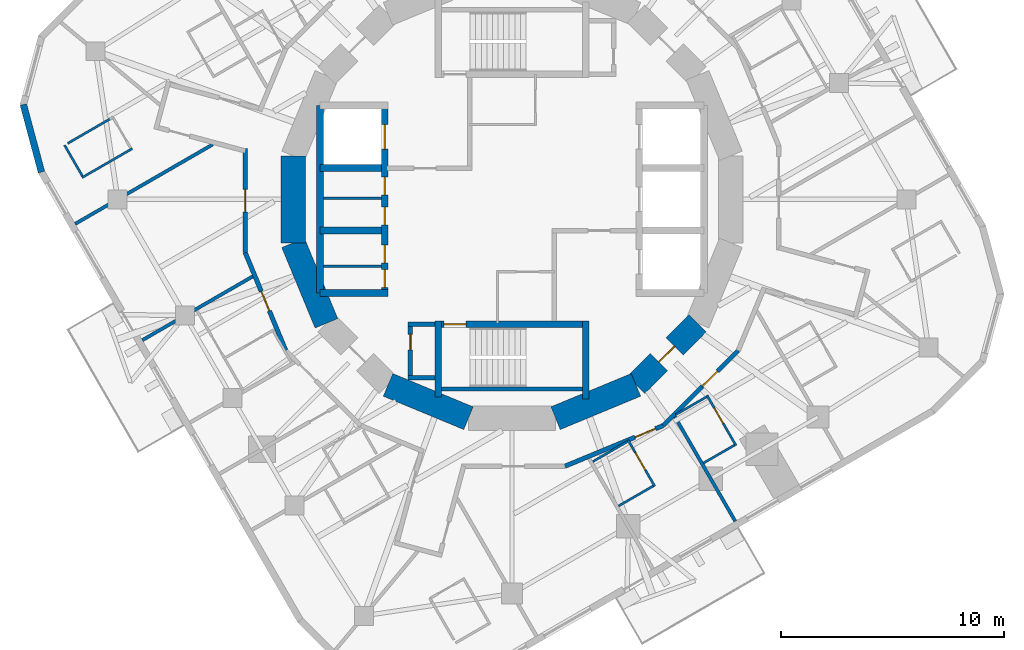
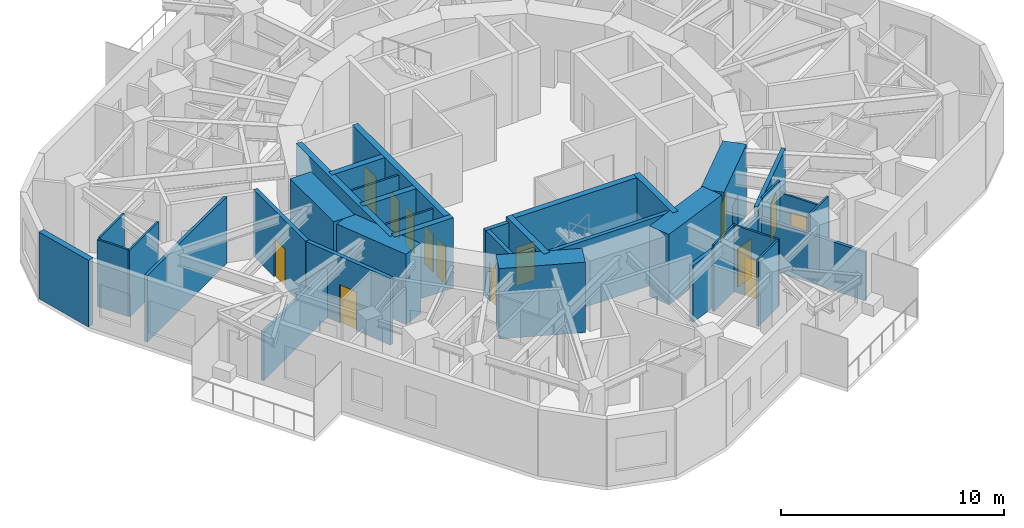
# One storey, part 5 of 11: 36 walls, 14 doors, 14 openings.
"""IFC4 building model written with IfcOpenShell, lengths in metres."""

from ifc_helpers import new_model, si_unit, direction, frame, frame_2d, origin, place, context, subcontext, project, spatial, rectangle, extrude, material, layer, layer_set, type_object, element, fill, save


model = new_model("IFC4")

# Units and contexts
model_context = context("Model", 3, precision=1e-05, world=origin(), true_north=direction((0.0, 1.0)))
body_context = subcontext(model_context, "Body", "Model", "MODEL_VIEW")
ifc_project = project(units=[si_unit("LENGTHUNIT", "METRE"), si_unit("AREAUNIT", "SQUARE_METRE"), si_unit("VOLUMEUNIT", "CUBIC_METRE"), si_unit("PLANEANGLEUNIT", "RADIAN"), si_unit("MASSUNIT", "GRAM", prefix="KILO")], contexts=[model_context])

# Site, building, storey
site_placement = place(None, origin())
site = spatial("IfcSite", under=ifc_project, at=site_placement, CompositionType="ELEMENT")
building_placement = place(site_placement, origin())
building = spatial("IfcBuilding", under=site, at=building_placement, Name="Nakasero Lantern House", CompositionType="ELEMENT")
storey_placement = place(building_placement, frame((0.0, 0.0, 238.5)))
storey = spatial("IfcBuildingStorey", under=building, at=storey_placement, Name="L58", CompositionType="ELEMENT", Elevation=238.5)

# Wall, openings, doors
ifc_material_1 = material(Name="Concrete C50/60", Category="concrete")
ifc_layer_1 = layer(ifc_material_1, 0.300048828125)
ifc_layer_set_1 = layer_set([ifc_layer_1], Name="Core inner wall 300")
wall_type_1 = type_object("IfcWallType", Name="Core inner wall 300", PredefinedType="SHEAR", material=ifc_layer_set_1)
wall_1_placement = place(storey_placement, frame((-5.699951171875, -4.199951171875, 0.0), z_axis=(0.0, 0.0, 1.0), x_axis=(0.0, 1.0, 0.0)))
wall_1 = element("IfcWall", 1, at=wall_1_placement, inside=storey, type_object=wall_type_1, Name="Core inner wall L58 LW", PredefinedType="SHEAR", context=body_context, shape_type="SweptSolid", body=[
    extrude(rectangle(XDim=8.39990234375, YDim=0.300048828125, at=frame_2d((4.199951171875, 0.0))), origin(), (0.0, 0.0, 1.0), 3.85009765625),
])
opening_1_placement = place(wall_1_placement, frame((0.25, 0.0, 0.0)))
opening_1 = element("IfcOpeningElement", 2, at=opening_1_placement, cuts=wall_1, Name="Opening D15", PredefinedType="OPENING", context=body_context, shape_type="SweptSolid", body=[
    extrude(rectangle(XDim=0.800048828125, YDim=2.10009765625, at=frame_2d((0.39990234375, 1.050048828125))), frame((0.0, 0.169921875, 0.0), z_axis=(0.0, -1.0, 0.0), x_axis=(1.0, 0.0, 0.0)), (0.0, 0.0, 1.0), 0.340087890625),
])
opening_2_placement = place(wall_1_placement, frame((1.35009765625, 0.0, 0.0)))
opening_2 = element("IfcOpeningElement", 3, at=opening_2_placement, cuts=wall_1, Name="Opening D15", PredefinedType="OPENING", context=body_context, shape_type="SweptSolid", body=[
    extrude(rectangle(XDim=0.800048828125, YDim=2.10009765625, at=frame_2d((0.39990234375, 1.050048828125))), frame((0.0, 0.169921875, 0.0), z_axis=(0.0, -1.0, 0.0), x_axis=(1.0, 0.0, 0.0)), (0.0, 0.0, 1.0), 0.340087890625),
])
opening_3_placement = place(wall_1_placement, frame((3.050048828125, 0.0, 0.0)))
opening_3 = element("IfcOpeningElement", 4, at=opening_3_placement, cuts=wall_1, Name="Opening D15", PredefinedType="OPENING", context=body_context, shape_type="SweptSolid", body=[
    extrude(rectangle(XDim=0.800048828125, YDim=2.10009765625, at=frame_2d((0.39990234375, 1.050048828125))), frame((0.0, 0.169921875, 0.0), z_axis=(0.0, -1.0, 0.0), x_axis=(1.0, 0.0, 0.0)), (0.0, 0.0, 1.0), 0.340087890625),
])
opening_4_placement = place(wall_1_placement, frame((4.39990234375, 0.0, 0.0)))
opening_4 = element("IfcOpeningElement", 5, at=opening_4_placement, cuts=wall_1, Name="Opening D15", PredefinedType="OPENING", context=body_context, shape_type="SweptSolid", body=[
    extrude(rectangle(XDim=0.800048828125, YDim=2.10009765625, at=frame_2d((0.39990234375, 1.050048828125))), frame((0.0, 0.169921875, 0.0), z_axis=(0.0, -1.0, 0.0), x_axis=(1.0, 0.0, 0.0)), (0.0, 0.0, 1.0), 0.340087890625),
])
opening_5_placement = place(wall_1_placement, frame((6.449951171875, 0.0, 0.0)))
opening_5 = element("IfcOpeningElement", 6, at=opening_5_placement, cuts=wall_1, Name="Opening LD", PredefinedType="OPENING", context=body_context, shape_type="SweptSolid", body=[
    extrude(rectangle(XDim=1.10009765625, YDim=2.10009765625, at=frame_2d((0.550048828125, 1.050048828125))), frame((0.0, 0.169921875, 0.0), z_axis=(0.0, -1.0, 0.0), x_axis=(1.0, 0.0, 0.0)), (0.0, 0.0, 1.0), 0.340087890625),
])
ifc_material_2 = material(Name="Timber C24", Category="wood")
door_type_1 = type_object("IfcDoorType", Name="Cleaner's store door FD30S 800", OperationType="SINGLE_SWING_LEFT", PredefinedType="DOOR", material=ifc_material_2)
door_1_placement = place(opening_1_placement, origin())
door_1 = element("IfcDoor", 7, at=door_1_placement, inside=storey, type_object=door_type_1, Name="Door L58 D-SH-LW1a", OperationType="SINGLE_SWING_LEFT", OverallHeight=2.10009765625, OverallWidth=0.800048828125, PredefinedType="DOOR", context=body_context, shape_type="SweptSolid", body=[
    extrude(rectangle(XDim=0.800048828125, YDim=2.10009765625, at=frame_2d((0.39990234375, 1.050048828125))), frame((0.0, 0.02490234375, 0.0), z_axis=(0.0, -1.0, 0.0), x_axis=(1.0, 0.0, 0.0)), (0.0, 0.0, 1.0), 0.050048828125),
])
fill(opening_1, door_1)
door_2_placement = place(opening_2_placement, origin())
door_2 = element("IfcDoor", 8, at=door_2_placement, inside=storey, type_object=door_type_1, Name="Door L58 D-SH-LW1b", OperationType="SINGLE_SWING_LEFT", OverallHeight=2.10009765625, OverallWidth=0.800048828125, PredefinedType="DOOR", context=body_context, shape_type="SweptSolid", body=[
    extrude(rectangle(XDim=0.800048828125, YDim=2.10009765625, at=frame_2d((0.39990234375, 1.050048828125))), frame((0.0, 0.02490234375, 0.0), z_axis=(0.0, -1.0, 0.0), x_axis=(1.0, 0.0, 0.0)), (0.0, 0.0, 1.0), 0.050048828125),
])
fill(opening_2, door_2)
door_3_placement = place(opening_3_placement, origin())
door_3 = element("IfcDoor", 9, at=door_3_placement, inside=storey, type_object=door_type_1, Name="Door L58 D-SH-LW2a", OperationType="SINGLE_SWING_LEFT", OverallHeight=2.10009765625, OverallWidth=0.800048828125, PredefinedType="DOOR", context=body_context, shape_type="SweptSolid", body=[
    extrude(rectangle(XDim=0.800048828125, YDim=2.10009765625, at=frame_2d((0.39990234375, 1.050048828125))), frame((0.0, 0.02490234375, 0.0), z_axis=(0.0, -1.0, 0.0), x_axis=(1.0, 0.0, 0.0)), (0.0, 0.0, 1.0), 0.050048828125),
])
fill(opening_3, door_3)
door_4_placement = place(opening_4_placement, origin())
door_4 = element("IfcDoor", 10, at=door_4_placement, inside=storey, type_object=door_type_1, Name="Door L58 D-SH-LW2b", OperationType="SINGLE_SWING_RIGHT", OverallHeight=2.10009765625, OverallWidth=0.800048828125, PredefinedType="DOOR", context=body_context, shape_type="SweptSolid", body=[
    extrude(rectangle(XDim=0.800048828125, YDim=2.10009765625, at=frame_2d((0.39990234375, 1.050048828125))), frame((0.0, 0.02490234375, 0.0), z_axis=(0.0, -1.0, 0.0), x_axis=(1.0, 0.0, 0.0)), (0.0, 0.0, 1.0), 0.050048828125),
])
fill(opening_4, door_4)
ifc_material_3 = material(Name="Steel S355", Category="steel")
door_type_2 = type_object("IfcDoorType", Name="Lift landing door E120 1100", OperationType="SLIDING_TO_LEFT", PredefinedType="DOOR", material=ifc_material_3)
door_5_placement = place(opening_5_placement, origin())
door_5 = element("IfcDoor", 11, at=door_5_placement, inside=storey, type_object=door_type_2, Name="Lift landing door LW3", OperationType="SLIDING_TO_LEFT", OverallHeight=2.10009765625, OverallWidth=1.10009765625, PredefinedType="DOOR", context=body_context, shape_type="SweptSolid", body=[
    extrude(rectangle(XDim=1.10009765625, YDim=2.10009765625, at=frame_2d((0.550048828125, 1.050048828125))), frame((0.0, 0.02490234375, 0.0), z_axis=(0.0, -1.0, 0.0), x_axis=(1.0, 0.0, 0.0)), (0.0, 0.0, 1.0), 0.050048828125),
])
fill(opening_5, door_5)

# Walls
wall_2_placement = place(storey_placement, frame((-8.60009765625, -4.199951171875, 0.0), z_axis=(0.0, 0.0, 1.0), x_axis=(1.0, 0.0, 0.0)))
element("IfcWall", 12, at=wall_2_placement, inside=storey, type_object=wall_type_1, Name="Core inner wall L58 LWS", PredefinedType="SHEAR", context=body_context, shape_type="SweptSolid", body=[
    extrude(rectangle(XDim=3.050048828125, YDim=0.300048828125, at=frame_2d((1.52490234375, 0.0))), origin(), (0.0, 0.0, 1.0), 3.85009765625),
])
wall_3_placement = place(storey_placement, frame((-8.60009765625, -4.199951171875, 0.0), z_axis=(0.0, 0.0, 1.0), x_axis=(0.0, 1.0, 0.0)))
element("IfcWall", 13, at=wall_3_placement, inside=storey, type_object=wall_type_1, Name="Core inner wall L58 LWB", PredefinedType="SHEAR", context=body_context, shape_type="SweptSolid", body=[
    extrude(rectangle(XDim=8.39990234375, YDim=0.300048828125, at=frame_2d((4.199951171875, 0.0))), origin(), (0.0, 0.0, 1.0), 3.85009765625),
])
for number, where, z_axis, x_axis, name in (
    (14, (-8.60009765625, -1.39990234375, 0.0), (0.0, 0.0, 1.0), (1.0, 0.0, 0.0), "Core inner wall L58 LW1"),
    (15, (-8.60009765625, 1.39990234375, 0.0), (0.0, 0.0, 1.0), (1.0, 0.0, 0.0), "Core inner wall L58 LW2"),
):
    element("IfcWall", number, at=place(storey_placement, frame(where, z_axis=z_axis, x_axis=x_axis)), inside=storey, type_object=wall_type_1, Name=name, PredefinedType="SHEAR", context=body_context, shape_type="SweptSolid", body=[
        extrude(rectangle(XDim=2.75, YDim=0.300048828125, at=frame_2d((1.375, 0.0))), origin(), (0.0, 0.0, 1.0), 3.85009765625),
    ])

# Wall, opening, door
wall_4_placement = place(storey_placement, frame((-3.449951171875, -5.60009765625, 0.0), z_axis=(0.0, 0.0, 1.0), x_axis=(1.0, 0.0, 0.0)))
wall_4 = element("IfcWall", 16, at=wall_4_placement, inside=storey, type_object=wall_type_1, Name="Core inner wall L58 SS", PredefinedType="SHEAR", context=body_context, shape_type="SweptSolid", body=[
    extrude(rectangle(XDim=6.89990234375, YDim=0.300048828125, at=frame_2d((3.449951171875, 0.0))), origin(), (0.0, 0.0, 1.0), 3.85009765625),
])
opening_6_placement = place(wall_4_placement, frame((0.39990234375, 0.0, 0.0)))
opening_6 = element("IfcOpeningElement", 17, at=opening_6_placement, cuts=wall_4, Name="Opening D05", PredefinedType="OPENING", context=body_context, shape_type="SweptSolid", body=[
    extrude(rectangle(XDim=1.0, YDim=2.10009765625, at=frame_2d((0.5, 1.050048828125))), frame((0.0, 0.169921875, 0.0), z_axis=(0.0, -1.0, 0.0), x_axis=(1.0, 0.0, 0.0)), (0.0, 0.0, 1.0), 0.340087890625),
])
ifc_material_4 = material(Name="Timber C24", Category="wood")
door_type_3 = type_object("IfcDoorType", Name="Core door FD60S 1000", OperationType="SINGLE_SWING_LEFT", PredefinedType="DOOR", material=ifc_material_4)
door_6_placement = place(opening_6_placement, origin())
door_6 = element("IfcDoor", 18, at=door_6_placement, inside=storey, type_object=door_type_3, Name="Door L58 D-ST2", OperationType="SINGLE_SWING_LEFT", OverallHeight=2.10009765625, OverallWidth=1.0, PredefinedType="DOOR", context=body_context, shape_type="SweptSolid", body=[
    extrude(rectangle(XDim=1.0, YDim=2.10009765625, at=frame_2d((0.5, 1.050048828125))), frame((0.0, 0.02490234375, 0.0), z_axis=(0.0, -1.0, 0.0), x_axis=(1.0, 0.0, 0.0)), (0.0, 0.0, 1.0), 0.050048828125),
])
fill(opening_6, door_6)

# Walls
wall_5_placement = place(storey_placement, frame((-3.300048828125, -5.449951171875, 0.0), z_axis=(0.0, 0.0, 1.0), x_axis=(0.0, -1.0, 0.0)))
element("IfcWall", 19, at=wall_5_placement, inside=storey, type_object=wall_type_1, Name="Core inner wall L58 SSW", PredefinedType="SHEAR", context=body_context, shape_type="SweptSolid", body=[
    extrude(rectangle(XDim=3.400146484375, YDim=0.300048828125, at=frame_2d((1.7001953125, 0.0))), origin(), (0.0, 0.0, 1.0), 3.85009765625),
])
wall_6_placement = place(storey_placement, frame((3.300048828125, -5.449951171875, 0.0), z_axis=(0.0, 0.0, 1.0), x_axis=(0.0, -1.0, 0.0)))
element("IfcWall", 20, at=wall_6_placement, inside=storey, type_object=wall_type_1, Name="Core inner wall L58 SSE", PredefinedType="SHEAR", context=body_context, shape_type="SweptSolid", body=[
    extrude(rectangle(XDim=3.5, YDim=0.300048828125, at=frame_2d((1.75, 0.0))), origin(), (0.0, 0.0, 1.0), 3.85009765625),
])
ifc_material_5 = material(Name="Blockwork", Category="masonry")
ifc_layer_2 = layer(ifc_material_5, 0.10009765625)
ifc_layer_set_2 = layer_set([ifc_layer_2], Name="Core room wall 100")
wall_type_2 = type_object("IfcWallType", Name="Core room wall 100", PredefinedType="PARTITIONING", material=ifc_layer_set_2)
for number, where, z_axis, x_axis, name in (
    (21, (-8.449951171875, -3.0, 0.0), (0.0, 0.0, 1.0), (1.0, 0.0, 0.0), "Core room wall L58 CR-SH-LW1b"),
    (22, (-8.449951171875, 0.050048828125, 0.0), (0.0, 0.0, 1.0), (1.0, 0.0, 0.0), "Core room wall L58 CR-SH-LW2b"),
):
    element("IfcWall", number, at=place(storey_placement, frame(where, z_axis=z_axis, x_axis=x_axis)), inside=storey, type_object=wall_type_2, Name=name, PredefinedType="PARTITIONING", context=body_context, shape_type="SweptSolid", body=[
        extrude(rectangle(XDim=2.599853515625, YDim=0.10009765625, at=frame_2d((1.2998046875, 0.0))), origin(), (0.0, 0.0, 1.0), 3.64990234375),
    ])
ifc_material_6 = material(Name="Concrete C50/60", Category="concrete")
ifc_layer_3 = layer(ifc_material_6, 1.10009765625)
ifc_layer_set_3 = layer_set([ifc_layer_3], Name="Core wall 1100")
wall_type_3 = type_object("IfcWallType", Name="Core wall 1100", PredefinedType="SHEAR", material=ifc_layer_set_3)
for number, where, z_axis, x_axis, name in (
    (23, (-9.807861328125, 1.950927734375, 0.0), (0.0, 0.0, 1.0), (0.0, -1.0, 0.0), "Core wall L58 facet 8"),
    (24, (-9.807861328125, -1.950927734375, 0.0), (0.0, 0.0, 1.0), (0.382690736062, -0.923876507187, 0.0), "Core wall L58 facet 9"),
    (25, (-5.5556640625, -8.314697265625, 0.0), (0.0, 0.0, 1.0), (0.923876507187, -0.382690736062, 0.0), "Core wall L58 facet 11"),
    (26, (1.950927734375, -9.807861328125, 0.0), (0.0, 0.0, 1.0), (0.923876507187, 0.382690736062, 0.0), "Core wall L58 facet 13"),
):
    element("IfcWall", number, at=place(storey_placement, frame(where, z_axis=z_axis, x_axis=x_axis)), inside=storey, type_object=wall_type_3, Name=name, PredefinedType="SHEAR", context=body_context, shape_type="SweptSolid", body=[
        extrude(rectangle(XDim=3.90185546875, YDim=1.10009765625, at=frame_2d((1.950927734375, 0.0))), origin(), (0.0, 0.0, 1.0), 3.85009765625),
    ])

# Wall, opening, door
wall_7_placement = place(storey_placement, frame((5.5556640625, -8.314697265625, 0.0), z_axis=(0.0, 0.0, 1.0), x_axis=(0.707106781187, 0.707106781187, 0.0)))
wall_7 = element("IfcWall", 27, at=wall_7_placement, inside=storey, type_object=wall_type_3, Name="Core wall L58 facet 14", PredefinedType="SHEAR", context=body_context, shape_type="SweptSolid", body=[
    extrude(rectangle(XDim=3.90185546875, YDim=1.10009765625, at=frame_2d((1.950927734375, 0.0))), origin(), (0.0, 0.0, 1.0), 3.85009765625),
])
opening_7_placement = place(wall_7_placement, frame((1.450927734375, 0.0, 0.0)))
opening_7 = element("IfcOpeningElement", 28, at=opening_7_placement, cuts=wall_7, Name="Opening D05", PredefinedType="OPENING", context=body_context, shape_type="SweptSolid", body=[
    extrude(rectangle(XDim=1.0, YDim=2.10009765625, at=frame_2d((0.5, 1.050048828125))), frame((0.0, 0.570068359375, 0.0), z_axis=(0.0, -1.0, 0.0), x_axis=(1.0, 0.0, 0.0)), (0.0, 0.0, 1.0), 1.14013671875),
])
door_7_placement = place(opening_7_placement, origin())
door_7 = element("IfcDoor", 29, at=door_7_placement, inside=storey, type_object=door_type_3, Name="Door L58 D-CORE14", OperationType="SINGLE_SWING_LEFT", OverallHeight=2.10009765625, OverallWidth=1.0, PredefinedType="DOOR", context=body_context, shape_type="SweptSolid", body=[
    extrude(rectangle(XDim=1.0, YDim=2.10009765625, at=frame_2d((0.5, 1.050048828125))), frame((0.0, 0.02490234375, 0.0), z_axis=(0.0, -1.0, 0.0), x_axis=(1.0, 0.0, 0.0)), (0.0, 0.0, 1.0), 0.050048828125),
])
fill(opening_7, door_7)

ifc_material_7 = material(Name="Blockwork", Category="masonry")
ifc_layer_4 = layer(ifc_material_7, 0.199951171875)
ifc_layer_set_4 = layer_set([ifc_layer_4], Name="Corridor wall 200")
wall_type_4 = type_object("IfcWallType", Name="Corridor wall 200", PredefinedType="PARTITIONING", material=ifc_layer_set_4)
wall_8_placement = place(storey_placement, frame((10.137451171875, -6.773681640625, 0.0), z_axis=(0.0, 0.0, 1.0), x_axis=(-0.707106781187, -0.707106781187, 0.0)))
wall_8 = element("IfcWall", 30, at=wall_8_placement, inside=storey, type_object=wall_type_4, Name="Corridor wall L58 RC02a", PredefinedType="PARTITIONING", context=body_context, shape_type="SweptSolid", body=[
    extrude(rectangle(XDim=4.757080078125, YDim=0.199951171875, at=frame_2d((2.37841796875, 0.0))), origin(), (0.0, 0.0, 1.0), 3.64990234375),
])
opening_8_placement = place(wall_8_placement, frame((1.320068359375, 0.0, 0.0)))
opening_8 = element("IfcOpeningElement", 31, at=opening_8_placement, cuts=wall_8, Name="Opening D01", PredefinedType="OPENING", context=body_context, shape_type="SweptSolid", body=[
    extrude(rectangle(XDim=0.949951171875, YDim=2.10009765625, at=frame_2d((0.47509765625, 1.050048828125))), frame((0.0, 0.119873046875, 0.0), z_axis=(0.0, -1.0, 0.0), x_axis=(1.0, 0.0, 0.0)), (0.0, 0.0, 1.0), 0.239990234375),
])
ifc_material_8 = material(Name="Timber C24", Category="wood")
door_type_4 = type_object("IfcDoorType", Name="Bedroom door FD30S 950", OperationType="SINGLE_SWING_LEFT", PredefinedType="DOOR", material=ifc_material_8)
door_8_placement = place(opening_8_placement, origin())
door_8 = element("IfcDoor", 32, at=door_8_placement, inside=storey, type_object=door_type_4, Name="Door L58 D3-04", OperationType="SINGLE_SWING_LEFT", OverallHeight=2.10009765625, OverallWidth=0.949951171875, PredefinedType="DOOR", context=body_context, shape_type="SweptSolid", body=[
    extrude(rectangle(XDim=0.949951171875, YDim=2.10009765625, at=frame_2d((0.47509765625, 1.050048828125))), frame((0.0, 0.02490234375, 0.0), z_axis=(0.0, -1.0, 0.0), x_axis=(1.0, 0.0, 0.0)), (0.0, 0.0, 1.0), 0.050048828125),
])
fill(opening_8, door_8)

wall_9_placement = place(storey_placement, frame((6.773681640625, -10.137451171875, 0.0), z_axis=(0.0, 0.0, 1.0), x_axis=(-0.923891735412, -0.382653970627, 0.0)))
wall_9 = element("IfcWall", 33, at=wall_9_placement, inside=storey, type_object=wall_type_4, Name="Corridor wall L58 RC03a", PredefinedType="PARTITIONING", context=body_context, shape_type="SweptSolid", body=[
    extrude(rectangle(XDim=4.757080078125, YDim=0.199951171875, at=frame_2d((2.37841796875, 0.0))), origin(), (0.0, 0.0, 1.0), 3.11328125),
])
opening_9_placement = place(wall_9_placement, frame((0.3701171875, 0.0, 0.0)))
opening_9 = element("IfcOpeningElement", 34, at=opening_9_placement, cuts=wall_9, Name="Opening D07", PredefinedType="OPENING", context=body_context, shape_type="SweptSolid", body=[
    extrude(rectangle(XDim=1.0, YDim=2.10009765625, at=frame_2d((0.5, 1.050048828125))), frame((0.0, 0.119873046875, 0.0), z_axis=(0.0, -1.0, 0.0), x_axis=(1.0, 0.0, 0.0)), (0.0, 0.0, 1.0), 0.239990234375),
])
ifc_material_9 = material(Name="Timber C24", Category="wood")
door_type_5 = type_object("IfcDoorType", Name="Room door FD30S 1000", OperationType="SINGLE_SWING_LEFT", PredefinedType="DOOR", material=ifc_material_9)
door_9_placement = place(opening_9_placement, origin())
door_9 = element("IfcDoor", 35, at=door_9_placement, inside=storey, type_object=door_type_5, Name="Door L58 D3-03", OperationType="SINGLE_SWING_LEFT", OverallHeight=2.10009765625, OverallWidth=1.0, PredefinedType="DOOR", context=body_context, shape_type="SweptSolid", body=[
    extrude(rectangle(XDim=1.0, YDim=2.10009765625, at=frame_2d((0.5, 1.050048828125))), frame((0.0, 0.02490234375, 0.0), z_axis=(0.0, -1.0, 0.0), x_axis=(1.0, 0.0, 0.0)), (0.0, 0.0, 1.0), 0.050048828125),
])
fill(opening_9, door_9)

wall_10_placement = place(storey_placement, frame((-10.137451171875, -6.773681640625, 0.0), z_axis=(0.0, 0.0, 1.0), x_axis=(-0.382653970627, 0.923891735412, 0.0)))
wall_10 = element("IfcWall", 36, at=wall_10_placement, inside=storey, type_object=wall_type_4, Name="Corridor wall L58 RC07a", PredefinedType="PARTITIONING", context=body_context, shape_type="SweptSolid", body=[
    extrude(rectangle(XDim=4.757080078125, YDim=0.199951171875, at=frame_2d((2.37841796875, 0.0))), origin(), (0.0, 0.0, 1.0), 3.64990234375),
])
opening_10_placement = place(wall_10_placement, frame((1.919921875, 0.0, 0.0)))
opening_10 = element("IfcOpeningElement", 37, at=opening_10_placement, cuts=wall_10, Name="Opening D01", PredefinedType="OPENING", context=body_context, shape_type="SweptSolid", body=[
    extrude(rectangle(XDim=0.949951171875, YDim=2.10009765625, at=frame_2d((0.47509765625, 1.050048828125))), frame((0.0, 0.119873046875, 0.0), z_axis=(0.0, -1.0, 0.0), x_axis=(1.0, 0.0, 0.0)), (0.0, 0.0, 1.0), 0.239990234375),
])
door_10_placement = place(opening_10_placement, origin())
door_10 = element("IfcDoor", 38, at=door_10_placement, inside=storey, type_object=door_type_4, Name="Door L58 D2-03", OperationType="SINGLE_SWING_RIGHT", OverallHeight=2.10009765625, OverallWidth=0.949951171875, PredefinedType="DOOR", context=body_context, shape_type="SweptSolid", body=[
    extrude(rectangle(XDim=0.949951171875, YDim=2.10009765625, at=frame_2d((0.47509765625, 1.050048828125))), frame((0.0, 0.02490234375, 0.0), z_axis=(0.0, -1.0, 0.0), x_axis=(1.0, 0.0, 0.0)), (0.0, 0.0, 1.0), 0.050048828125),
])
fill(opening_10, door_10)

wall_11_placement = place(storey_placement, frame((-11.957763671875, -2.378662109375, 0.0), z_axis=(0.0, 0.0, 1.0), x_axis=(0.0, 1.0, 0.0)))
wall_11 = element("IfcWall", 39, at=wall_11_placement, inside=storey, type_object=wall_type_4, Name="Corridor wall L58 RC08a", PredefinedType="PARTITIONING", context=body_context, shape_type="SweptSolid", body=[
    extrude(rectangle(XDim=4.651123046875, YDim=0.199951171875, at=frame_2d((2.32568359375, 0.0))), origin(), (0.0, 0.0, 1.0), 3.64990234375),
])
opening_11_placement = place(wall_11_placement, frame((1.820068359375, 0.0, 0.0)))
opening_11 = element("IfcOpeningElement", 40, at=opening_11_placement, cuts=wall_11, Name="Opening D03", PredefinedType="OPENING", context=body_context, shape_type="SweptSolid", body=[
    extrude(rectangle(XDim=1.0, YDim=2.10009765625, at=frame_2d((0.5, 1.050048828125))), frame((0.0, 0.119873046875, 0.0), z_axis=(0.0, -1.0, 0.0), x_axis=(1.0, 0.0, 0.0)), (0.0, 0.0, 1.0), 0.239990234375),
])
ifc_material_10 = material(Name="Timber C24", Category="wood")
door_type_6 = type_object("IfcDoorType", Name="Lounge door FD30S 1000", OperationType="SINGLE_SWING_LEFT", PredefinedType="DOOR", material=ifc_material_10)
door_11_placement = place(opening_11_placement, origin())
door_11 = element("IfcDoor", 41, at=door_11_placement, inside=storey, type_object=door_type_6, Name="Door L58 DK2", OperationType="SINGLE_SWING_LEFT", OverallHeight=2.10009765625, OverallWidth=1.0, PredefinedType="DOOR", context=body_context, shape_type="SweptSolid", body=[
    extrude(rectangle(XDim=1.0, YDim=2.10009765625, at=frame_2d((0.5, 1.050048828125))), frame((0.0, 0.02490234375, 0.0), z_axis=(0.0, -1.0, 0.0), x_axis=(1.0, 0.0, 0.0)), (0.0, 0.0, 1.0), 0.050048828125),
])
fill(opening_11, door_11)

# Walls
ifc_material_11 = material(Name="Blockwork", Category="masonry")
ifc_layer_5 = layer(ifc_material_11, 0.10009765625)
ifc_layer_set_5 = layer_set([ifc_layer_5], Name="En-suite wall 100")
wall_type_5 = type_object("IfcWallType", Name="En-suite wall 100", PredefinedType="PARTITIONING", material=ifc_layer_set_5)
wall_12_placement = place(storey_placement, frame((-17.015380859375, 2.271728515625, 0.0), z_axis=(0.0, 0.0, 1.0), x_axis=(-0.866021400173, -0.500006934395, 0.0)))
element("IfcWall", 42, at=wall_12_placement, inside=storey, type_object=wall_type_5, Name="En-suite wall L58 ES2-00", PredefinedType="PARTITIONING", context=body_context, shape_type="SweptSolid", body=[
    extrude(rectangle(XDim=2.60009765625, YDim=0.10009765625, at=frame_2d((1.300048828125, 0.0))), origin(), (0.0, 0.0, 1.0), 3.64990234375),
])
wall_13_placement = place(storey_placement, frame((-20.048828125, 2.425537109375, 0.0), z_axis=(0.0, 0.0, 1.0), x_axis=(0.500061482766, -0.865989903783, 0.0)))
element("IfcWall", 43, at=wall_13_placement, inside=storey, type_object=wall_type_5, Name="En-suite wall L58 EE2-00", PredefinedType="PARTITIONING", context=body_context, shape_type="SweptSolid", body=[
    extrude(rectangle(XDim=1.599853515625, YDim=0.10009765625, at=frame_2d((0.7998046875, 0.0))), origin(), (0.0, 0.0, 1.0), 3.64990234375),
])

# Wall, opening, door
wall_14_placement = place(storey_placement, frame((5.19775390625, -10.783935546875, 0.0), z_axis=(0.0, 0.0, 1.0), x_axis=(0.500077600433, -0.865980596518, 0.0)))
wall_14 = element("IfcWall", 44, at=wall_14_placement, inside=storey, type_object=wall_type_5, Name="En-suite wall L58 ES3-03", PredefinedType="PARTITIONING", context=body_context, shape_type="SweptSolid", body=[
    extrude(rectangle(XDim=2.39990234375, YDim=0.10009765625, at=frame_2d((1.199951171875, 0.0))), origin(), (0.0, 0.0, 1.0), 3.64990234375),
])
opening_12_placement = place(wall_14_placement, frame((0.64990234375, 0.0, 0.0)))
opening_12 = element("IfcOpeningElement", 45, at=opening_12_placement, cuts=wall_14, Name="Opening D16", PredefinedType="OPENING", context=body_context, shape_type="SweptSolid", body=[
    extrude(rectangle(XDim=0.89990234375, YDim=2.10009765625, at=frame_2d((0.449951171875, 1.050048828125))), frame((0.0, 0.070068359375, 0.0), z_axis=(0.0, -1.0, 0.0), x_axis=(1.0, 0.0, 0.0)), (0.0, 0.0, 1.0), 0.14013671875),
])
ifc_material_12 = material(Name="Timber C24", Category="wood")
door_type_7 = type_object("IfcDoorType", Name="Accessible WC door 900", OperationType="SINGLE_SWING_RIGHT", PredefinedType="DOOR", material=ifc_material_12)
door_12_placement = place(opening_12_placement, origin())
door_12 = element("IfcDoor", 46, at=door_12_placement, inside=storey, type_object=door_type_7, Name="Door L58 DE3-03", OperationType="SINGLE_SWING_LEFT", OverallHeight=2.10009765625, OverallWidth=0.89990234375, PredefinedType="DOOR", context=body_context, shape_type="SweptSolid", body=[
    extrude(rectangle(XDim=0.89990234375, YDim=2.10009765625, at=frame_2d((0.449951171875, 1.050048828125))), frame((0.0, 0.02490234375, 0.0), z_axis=(0.0, -1.0, 0.0), x_axis=(1.0, 0.0, 0.0)), (0.0, 0.0, 1.0), 0.050048828125),
])
fill(opening_12, door_12)

# Walls
for number, where, z_axis, x_axis, name in (
    (47, (4.770751953125, -13.744140625, 0.0), (0.0, 0.0, 1.0), (0.865989075817, 0.500062916607, 0.0), "En-suite wall L58 EE3-03"),
    (48, (3.62060546875, -11.752197265625, 0.0), (0.0, 0.0, 1.0), (0.866047807691, 0.499961193289, 0.0), "En-suite wall L58 EI3-03"),
):
    element("IfcWall", number, at=place(storey_placement, frame(where, z_axis=z_axis, x_axis=x_axis)), inside=storey, type_object=wall_type_5, Name=name, PredefinedType="PARTITIONING", context=body_context, shape_type="SweptSolid", body=[
        extrude(rectangle(XDim=1.800048828125, YDim=0.10009765625, at=frame_2d((0.89990234375, 0.0))), origin(), (0.0, 0.0, 1.0), 3.64990234375),
    ])

# Wall, opening, door
wall_15_placement = place(storey_placement, frame((8.737548828125, -8.7822265625, 0.0), z_axis=(0.0, 0.0, 1.0), x_axis=(0.500006934395, -0.866021400173, 0.0)))
wall_15 = element("IfcWall", 49, at=wall_15_placement, inside=storey, type_object=wall_type_5, Name="En-suite wall L58 ES3-04", PredefinedType="PARTITIONING", context=body_context, shape_type="SweptSolid", body=[
    extrude(rectangle(XDim=2.60009765625, YDim=0.10009765625, at=frame_2d((1.300048828125, 0.0))), origin(), (0.0, 0.0, 1.0), 2.966552734375),
])
opening_13_placement = place(wall_15_placement, frame((0.64990234375, 0.0, 0.0)))
opening_13 = element("IfcOpeningElement", 50, at=opening_13_placement, cuts=wall_15, Name="Opening D02", PredefinedType="OPENING", context=body_context, shape_type="SweptSolid", body=[
    extrude(rectangle(XDim=0.800048828125, YDim=2.10009765625, at=frame_2d((0.39990234375, 1.050048828125))), frame((0.0, 0.070068359375, 0.0), z_axis=(0.0, -1.0, 0.0), x_axis=(1.0, 0.0, 0.0)), (0.0, 0.0, 1.0), 0.14013671875),
])
ifc_material_13 = material(Name="Timber C24", Category="wood")
door_type_8 = type_object("IfcDoorType", Name="En-suite door 800", OperationType="SINGLE_SWING_RIGHT", PredefinedType="DOOR", material=ifc_material_13)
door_13_placement = place(opening_13_placement, origin())
door_13 = element("IfcDoor", 51, at=door_13_placement, inside=storey, type_object=door_type_8, Name="Door L58 DE3-04", OperationType="SINGLE_SWING_LEFT", OverallHeight=2.10009765625, OverallWidth=0.800048828125, PredefinedType="DOOR", context=body_context, shape_type="SweptSolid", body=[
    extrude(rectangle(XDim=0.800048828125, YDim=2.10009765625, at=frame_2d((0.39990234375, 1.050048828125))), frame((0.0, 0.02490234375, 0.0), z_axis=(0.0, -1.0, 0.0), x_axis=(1.0, 0.0, 0.0)), (0.0, 0.0, 1.0), 0.050048828125),
])
fill(opening_13, door_13)

# Walls
for number, where, z_axis, x_axis, name in (
    (52, (8.583740234375, -11.8154296875, 0.0), (0.0, 0.0, 1.0), (0.866055983265, 0.499947031044, 0.0), "En-suite wall L58 EE3-04"),
    (53, (7.333740234375, -9.650390625, 0.0), (0.0, 0.0, 1.0), (0.865989903783, 0.500061482766, 0.0), "En-suite wall L58 EI3-04"),
):
    element("IfcWall", number, at=place(storey_placement, frame(where, z_axis=z_axis, x_axis=x_axis)), inside=storey, type_object=wall_type_5, Name=name, PredefinedType="PARTITIONING", context=body_context, shape_type="SweptSolid", body=[
        extrude(rectangle(XDim=1.599853515625, YDim=0.10009765625, at=frame_2d((0.7998046875, 0.0))), origin(), (0.0, 0.0, 1.0), 3.64990234375),
    ])
wall_16_placement = place(storey_placement, frame((-18.022216796875, 3.595458984375, 0.0), z_axis=(0.0, 0.0, 1.0), x_axis=(-0.866056906104, -0.499945432413, 0.0)))
element("IfcWall", 54, at=wall_16_placement, inside=storey, type_object=wall_type_5, Name="En-suite wall L58 EX003", PredefinedType="PARTITIONING", context=body_context, shape_type="SweptSolid", body=[
    extrude(rectangle(XDim=2.179931640625, YDim=0.10009765625, at=frame_2d((1.08984375, 0.0))), origin(), (0.0, 0.0, 1.0), 3.64990234375),
])
ifc_material_14 = material(Name="Aluminium rainscreen on blockwork", Category="masonry")
ifc_layer_6 = layer(ifc_material_14, 0.300048828125)
ifc_layer_set_6 = layer_set([ifc_layer_6], Name="Facade wall 300")
wall_type_6 = type_object("IfcWallType", Name="Facade wall 300", PredefinedType="SOLIDWALL", material=ifc_layer_set_6)
wall_17_placement = place(storey_placement, frame((-21.89599609375, 4.245849609375, 0.0), z_axis=(0.0, 0.0, 1.0), x_axis=(0.258827010283, -0.96592369199, 0.0)))
element("IfcWall", 55, at=wall_17_placement, inside=storey, type_object=wall_type_6, Name="Facade wall L58 FW1C3", PredefinedType="SOLIDWALL", context=body_context, shape_type="SweptSolid", body=[
    extrude(rectangle(XDim=3.131591796875, YDim=0.300048828125, at=frame_2d((1.56591796875, 0.0))), origin(), (0.0, 0.0, 1.0), 3.64990234375),
])

# Wall, opening, door
ifc_material_15 = material(Name="Blockwork", Category="masonry")
ifc_layer_7 = layer(ifc_material_15, 0.199951171875)
ifc_layer_set_7 = layer_set([ifc_layer_7], Name="Fire lobby wall 200")
wall_type_7 = type_object("IfcWallType", Name="Fire lobby wall 200", PredefinedType="PARTITIONING", material=ifc_layer_set_7)
wall_18_placement = place(storey_placement, frame((-4.550048828125, -5.60009765625, 0.0), z_axis=(0.0, 0.0, 1.0), x_axis=(0.0, -1.0, 0.0)))
wall_18 = element("IfcWall", 56, at=wall_18_placement, inside=storey, type_object=wall_type_7, Name="Fire lobby wall L58 W-RS2W", PredefinedType="PARTITIONING", context=body_context, shape_type="SweptSolid", body=[
    extrude(rectangle(XDim=2.39990234375, YDim=0.199951171875, at=frame_2d((1.199951171875, 0.0))), origin(), (0.0, 0.0, 1.0), 3.64990234375),
])
opening_14_placement = place(wall_18_placement, frame((0.449951171875, 0.0, 0.0)))
opening_14 = element("IfcOpeningElement", 57, at=opening_14_placement, cuts=wall_18, Name="Opening D06", PredefinedType="OPENING", context=body_context, shape_type="SweptSolid", body=[
    extrude(rectangle(XDim=0.699951171875, YDim=2.10009765625, at=frame_2d((0.35009765625, 1.050048828125))), frame((0.0, 0.119873046875, 0.0), z_axis=(0.0, -1.0, 0.0), x_axis=(1.0, 0.0, 0.0)), (0.0, 0.0, 1.0), 0.239990234375),
])
ifc_material_16 = material(Name="Steel S355", Category="steel")
door_type_9 = type_object("IfcDoorType", Name="Riser door FD60 700", OperationType="SINGLE_SWING_LEFT", PredefinedType="DOOR", material=ifc_material_16)
door_14_placement = place(opening_14_placement, origin())
door_14 = element("IfcDoor", 58, at=door_14_placement, inside=storey, type_object=door_type_9, Name="Door L58 D-RS2", OperationType="SINGLE_SWING_LEFT", OverallHeight=2.10009765625, OverallWidth=0.699951171875, PredefinedType="DOOR", context=body_context, shape_type="SweptSolid", body=[
    extrude(rectangle(XDim=0.699951171875, YDim=2.10009765625, at=frame_2d((0.35009765625, 1.050048828125))), frame((0.0, 0.02490234375, 0.0), z_axis=(0.0, -1.0, 0.0), x_axis=(1.0, 0.0, 0.0)), (0.0, 0.0, 1.0), 0.050048828125),
])
fill(opening_14, door_14)

# Walls
for number, where, z_axis, x_axis, name in (
    (59, (-3.449951171875, -8.0, 0.0), (0.0, 0.0, 1.0), (-1.0, 0.0, 0.0), "Fire lobby wall L58 W-RS2S"),
    (60, (-3.449951171875, -5.60009765625, 0.0), (0.0, 0.0, 1.0), (-1.0, 0.0, 0.0), "Fire lobby wall L58 W-RS2N"),
):
    element("IfcWall", number, at=place(storey_placement, frame(where, z_axis=z_axis, x_axis=x_axis)), inside=storey, type_object=wall_type_7, Name=name, PredefinedType="PARTITIONING", context=body_context, shape_type="SweptSolid", body=[
        extrude(rectangle(XDim=1.199951171875, YDim=0.199951171875, at=frame_2d((0.60009765625, 0.0))), origin(), (0.0, 0.0, 1.0), 3.64990234375),
    ])
wall_19_placement = place(storey_placement, frame((-3.300048828125, -8.5, 0.0), z_axis=(0.0, 0.0, 1.0), x_axis=(1.0, 0.0, 0.0)))
element("IfcWall", 61, at=wall_19_placement, inside=storey, type_object=wall_type_7, Name="Fire lobby wall L58 W-STS", PredefinedType="PARTITIONING", context=body_context, shape_type="SweptSolid", body=[
    extrude(rectangle(XDim=6.60009765625, YDim=0.199951171875, at=frame_2d((3.300048828125, 0.0))), origin(), (0.0, 0.0, 1.0), 3.64990234375),
])
ifc_material_17 = material(Name="Blockwork", Category="masonry")
ifc_layer_8 = layer(ifc_material_17, 0.14990234375)
ifc_layer_set_8 = layer_set([ifc_layer_8], Name="Party wall 150")
wall_type_8 = type_object("IfcWallType", Name="Party wall 150", PredefinedType="PARTITIONING", material=ifc_layer_set_8)
wall_20_placement = place(storey_placement, frame((-13.4140625, 2.45556640625, 0.0), z_axis=(0.0, 0.0, 1.0), x_axis=(-0.866011773653, -0.500023607337, 0.0)))
element("IfcWall", 62, at=wall_20_placement, inside=storey, type_object=wall_type_8, Name="Party wall L58 PW2-01", PredefinedType="PARTITIONING", context=body_context, shape_type="SweptSolid", body=[
    extrude(rectangle(XDim=7.111083984375, YDim=0.14990234375, at=frame_2d((3.5556640625, 0.0))), origin(), (0.0, 0.0, 1.0), 3.64990234375),
])
wall_21_placement = place(storey_placement, frame((-11.619140625, -3.457275390625, 0.0), z_axis=(0.0, 0.0, 1.0), x_axis=(-0.866023927955, -0.500002556202, 0.0)))
element("IfcWall", 63, at=wall_21_placement, inside=storey, type_object=wall_type_8, Name="Party wall L58 PW2-03", PredefinedType="PARTITIONING", context=body_context, shape_type="SweptSolid", body=[
    extrude(rectangle(XDim=5.708984375, YDim=0.14990234375, at=frame_2d((2.8544921875, 0.0))), origin(), (0.0, 0.0, 1.0), 2.641845703125),
])
wall_22_placement = place(storey_placement, frame((7.3037109375, -9.748779296875, 0.0), z_axis=(0.0, 0.0, 1.0), x_axis=(0.500030010259, -0.86600807666, 0.0)))
element("IfcWall", 64, at=wall_22_placement, inside=storey, type_object=wall_type_8, Name="Party wall L58 PW3-04", PredefinedType="PARTITIONING", context=body_context, shape_type="SweptSolid", body=[
    extrude(rectangle(XDim=5.405517578125, YDim=0.14990234375, at=frame_2d((2.70263671875, 0.0))), origin(), (0.0, 0.0, 1.0), 2.659912109375),
])

save(model, "model.ifc")
